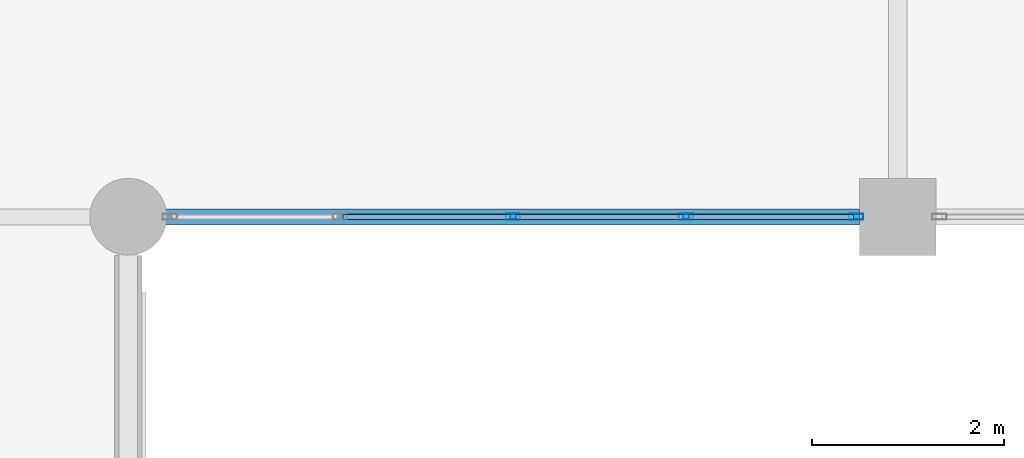
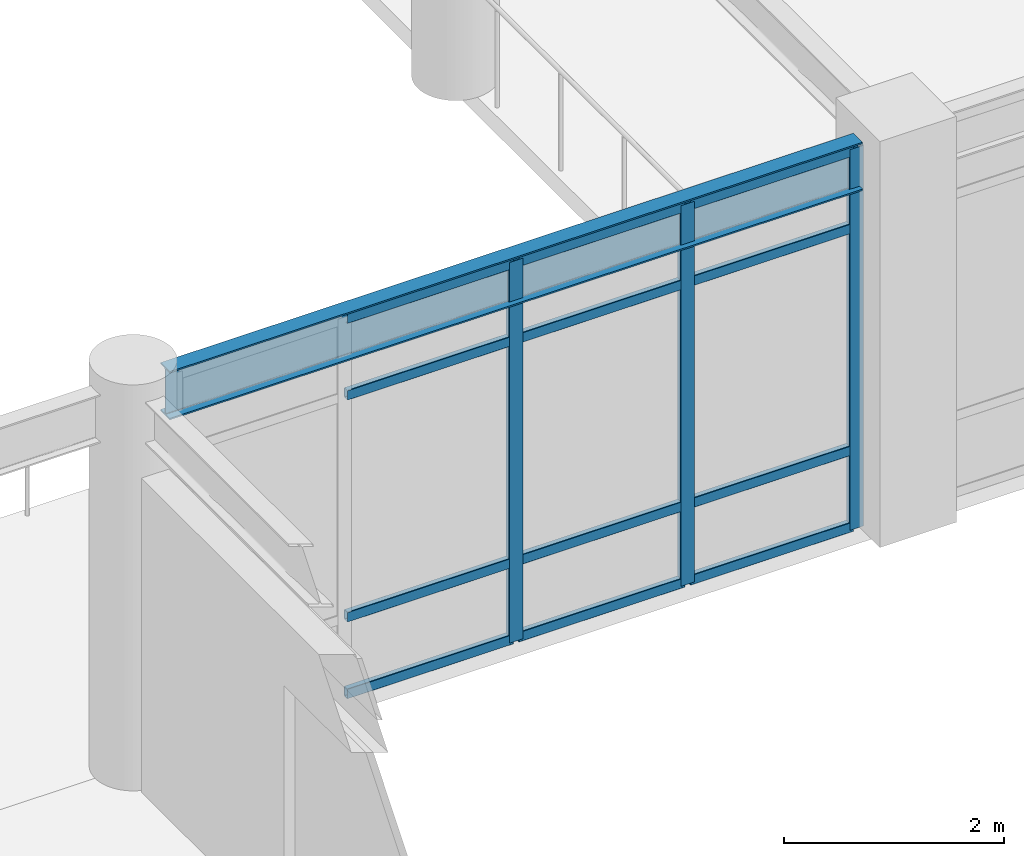
# One storey, part 21 of 75: 15 members, 1 beam, 1 element without a shape of its own.
"""IFC4 building model written with IfcOpenShell, lengths in metres."""

from ifc_helpers import new_model, si_unit, direction, frame, origin, origin_2d, place, context, subcontext, project, spatial, hollow_rectangle, i_section, extrude, material, material_profile, profile_set, type_object, element, aggregate, save


model = new_model("IFC4")

# Units and contexts
model_context = context("Model", 3, precision=1e-05, world=origin(), true_north=direction((0.0, 1.0)))
body_context = subcontext(model_context, "Body", "Model", "MODEL_VIEW")
ifc_project = project(units=[si_unit("LENGTHUNIT", "METRE"), si_unit("AREAUNIT", "SQUARE_METRE"), si_unit("VOLUMEUNIT", "CUBIC_METRE"), si_unit("PLANEANGLEUNIT", "RADIAN"), si_unit("MASSUNIT", "GRAM", prefix="KILO")], contexts=[model_context])

# Site, building, storey
site_placement = place(None, origin())
site = spatial("IfcSite", under=ifc_project, at=site_placement, CompositionType="ELEMENT")
building_placement = place(site_placement, origin())
building = spatial("IfcBuilding", under=site, at=building_placement, Name="Solmirada Galleria", CompositionType="ELEMENT")
storey_placement = place(building_placement, frame((0.0, 0.0, 19.39990234375)))
storey = spatial("IfcBuildingStorey", under=building, at=storey_placement, Name="L04", CompositionType="ELEMENT", Elevation=19.39990234375)

# Beam
ifc_material_1 = material(Name="Steel S355 / ASTM A992 Grade 50", Category="steel")
ifc_material_profile_1 = material_profile(ifc_material_1, i_section(OverallWidth=0.1669921875, OverallDepth=0.534912109375, WebThickness=0.01025390625, FlangeThickness=0.0166015625, FilletRadius=0.013916015625, at=origin_2d()), Name="W21X57")
ifc_profile_set_1 = profile_set([ifc_material_profile_1], Name="Steel S355 / ASTM A992 Grade 50")
beam_type = type_object("IfcBeamType", Name="BM-GIRD-W21C", PredefinedType="BEAM", material=ifc_profile_set_1)
beam_placement = place(storey_placement, frame((96.3359375, 48.0, 4.03271484375), z_axis=(1.0, 0.0, 0.0), x_axis=(0.0, 1.0, 0.0)))
element("IfcBeam", 1, at=beam_placement, inside=storey, type_object=beam_type, Name="Primary beam L05 X(96..104, 48)", PredefinedType="BEAM", context=body_context, shape_type="SweptSolid", body=[
    extrude(i_section(OverallWidth=0.1669921875, OverallDepth=0.534912109375, WebThickness=0.01025390625, FlangeThickness=0.0166015625, FilletRadius=0.013916015625, at=origin_2d()), origin(), (0.0, 0.0, 1.0), 7.26416015625),
])

# Curtain wall, members
ifc_material_2 = material(Name="Impact-resistant low-E double glazing", Category="glass")
curtain_wall_type = type_object("IfcCurtainWallType", Name="CW-FZ3-L04-B4-L072", PredefinedType="NOTDEFINED", material=ifc_material_2)
curtain_wall_placement = place(storey_placement, origin())
curtain_wall = element("IfcCurtainWall", 2, at=curtain_wall_placement, inside=storey, type_object=curtain_wall_type, Name="Terrace and arcade storefront CW-L04-158", PredefinedType="NOTDEFINED")
ifc_material_3 = material(Name="Anodised aluminium framing", Category="aluminium")
ifc_material_profile_2 = material_profile(ifc_material_3, hollow_rectangle(XDim=0.06005859375, YDim=0.14990234375, WallThickness=0.00341796875, InnerFilletRadius=0.00341796875, OuterFilletRadius=0.007080078125, at=origin_2d()), Name="ALU-MULL-150X60")
ifc_profile_set_2 = profile_set([ifc_material_profile_2], Name="Anodised aluminium framing")
member_type_1 = type_object("IfcMemberType", Name="CW-MULL-150", PredefinedType="MULLION", material=ifc_profile_set_2)
member_1_placement = place(storey_placement, frame((103.568115234375, 48.0, 0.0), z_axis=(0.0, 0.0, 1.0), x_axis=(0.0, -1.0, 0.0)))
member_1 = element("IfcMember", 3, at=member_1_placement, type_object=member_type_1, Name="CW30 mullion 1", PredefinedType="MULLION", context=body_context, shape_type="SweptSolid", body=[
    extrude(hollow_rectangle(XDim=0.06005859375, YDim=0.14990234375, WallThickness=0.00341796875, InnerFilletRadius=0.00341796875, OuterFilletRadius=0.007080078125, at=origin_2d()), origin(), (0.0, 0.0, 1.0), 4.22021484375),
])
member_2_placement = place(storey_placement, frame((101.799072265625, 48.0, 0.0), z_axis=(0.0, 0.0, 1.0), x_axis=(0.0, -1.0, 0.0)))
member_2 = element("IfcMember", 4, at=member_2_placement, type_object=member_type_1, Name="CW30 mullion 2", PredefinedType="MULLION", context=body_context, shape_type="SweptSolid", body=[
    extrude(hollow_rectangle(XDim=0.06005859375, YDim=0.14990234375, WallThickness=0.00341796875, InnerFilletRadius=0.00341796875, OuterFilletRadius=0.007080078125, at=origin_2d()), origin(), (0.0, 0.0, 1.0), 4.22021484375),
])
member_3_placement = place(storey_placement, frame((100.0, 48.0, 0.0), z_axis=(0.0, 0.0, 1.0), x_axis=(0.0, -1.0, 0.0)))
member_3 = element("IfcMember", 5, at=member_3_placement, type_object=member_type_1, Name="CW30 mullion 3", PredefinedType="MULLION", context=body_context, shape_type="SweptSolid", body=[
    extrude(hollow_rectangle(XDim=0.06005859375, YDim=0.14990234375, WallThickness=0.00341796875, InnerFilletRadius=0.00341796875, OuterFilletRadius=0.007080078125, at=origin_2d()), origin(), (0.0, 0.0, 1.0), 4.22021484375),
])
ifc_material_profile_3 = material_profile(ifc_material_3, hollow_rectangle(XDim=0.06005859375, YDim=0.110107421875, WallThickness=0.003173828125, InnerFilletRadius=0.003173828125, OuterFilletRadius=0.00634765625, at=origin_2d()), Name="ALU-TRAN-110X60")
ifc_profile_set_3 = profile_set([ifc_material_profile_3], Name="Anodised aluminium framing")
member_type_2 = type_object("IfcMemberType", Name="CW-TRAN-110", PredefinedType="USERDEFINED", material=ifc_profile_set_3)
member_4_placement = place(storey_placement, frame((103.5380859375, 48.0, 0.030029296875), z_axis=(-1.0, 0.0, 0.0), x_axis=(0.0, -1.0, 0.0)))
member_4 = element("IfcMember", 6, at=member_4_placement, type_object=member_type_2, Name="CW30 transom 1.1", ObjectType="TRANSOM", PredefinedType="USERDEFINED", context=body_context, shape_type="SweptSolid", body=[
    extrude(hollow_rectangle(XDim=0.06005859375, YDim=0.110107421875, WallThickness=0.003173828125, InnerFilletRadius=0.003173828125, OuterFilletRadius=0.00634765625, at=origin_2d()), origin(), (0.0, 0.0, 1.0), 1.708984375),
])
member_5_placement = place(storey_placement, frame((103.5380859375, 48.0, 0.880126953125), z_axis=(-1.0, 0.0, 0.0), x_axis=(0.0, -1.0, 0.0)))
member_5 = element("IfcMember", 7, at=member_5_placement, type_object=member_type_2, Name="CW30 transom 1.2", ObjectType="TRANSOM", PredefinedType="USERDEFINED", context=body_context, shape_type="SweptSolid", body=[
    extrude(hollow_rectangle(XDim=0.06005859375, YDim=0.110107421875, WallThickness=0.003173828125, InnerFilletRadius=0.003173828125, OuterFilletRadius=0.00634765625, at=origin_2d()), origin(), (0.0, 0.0, 1.0), 1.708984375),
])
member_6_placement = place(storey_placement, frame((103.5380859375, 48.0, 3.340087890625), z_axis=(-1.0, 0.0, 0.0), x_axis=(0.0, -1.0, 0.0)))
member_6 = element("IfcMember", 8, at=member_6_placement, type_object=member_type_2, Name="CW30 transom 1.3", ObjectType="TRANSOM", PredefinedType="USERDEFINED", context=body_context, shape_type="SweptSolid", body=[
    extrude(hollow_rectangle(XDim=0.06005859375, YDim=0.110107421875, WallThickness=0.003173828125, InnerFilletRadius=0.003173828125, OuterFilletRadius=0.00634765625, at=origin_2d()), origin(), (0.0, 0.0, 1.0), 1.708984375),
])
member_7_placement = place(storey_placement, frame((103.5380859375, 48.0, 4.190185546875), z_axis=(-1.0, 0.0, 0.0), x_axis=(0.0, -1.0, 0.0)))
member_7 = element("IfcMember", 9, at=member_7_placement, type_object=member_type_2, Name="CW30 transom 1.4", ObjectType="TRANSOM", PredefinedType="USERDEFINED", context=body_context, shape_type="SweptSolid", body=[
    extrude(hollow_rectangle(XDim=0.06005859375, YDim=0.110107421875, WallThickness=0.003173828125, InnerFilletRadius=0.003173828125, OuterFilletRadius=0.00634765625, at=origin_2d()), origin(), (0.0, 0.0, 1.0), 1.708984375),
])
member_8_placement = place(storey_placement, frame((101.76904296875, 48.0, 0.030029296875), z_axis=(-1.0, 0.0, 0.0), x_axis=(0.0, -1.0, 0.0)))
member_8 = element("IfcMember", 10, at=member_8_placement, type_object=member_type_2, Name="CW30 transom 2.1", ObjectType="TRANSOM", PredefinedType="USERDEFINED", context=body_context, shape_type="SweptSolid", body=[
    extrude(hollow_rectangle(XDim=0.06005859375, YDim=0.110107421875, WallThickness=0.003173828125, InnerFilletRadius=0.003173828125, OuterFilletRadius=0.00634765625, at=origin_2d()), origin(), (0.0, 0.0, 1.0), 1.739013671875),
])
member_9_placement = place(storey_placement, frame((101.76904296875, 48.0, 0.880126953125), z_axis=(-1.0, 0.0, 0.0), x_axis=(0.0, -1.0, 0.0)))
member_9 = element("IfcMember", 11, at=member_9_placement, type_object=member_type_2, Name="CW30 transom 2.2", ObjectType="TRANSOM", PredefinedType="USERDEFINED", context=body_context, shape_type="SweptSolid", body=[
    extrude(hollow_rectangle(XDim=0.06005859375, YDim=0.110107421875, WallThickness=0.003173828125, InnerFilletRadius=0.003173828125, OuterFilletRadius=0.00634765625, at=origin_2d()), origin(), (0.0, 0.0, 1.0), 1.739013671875),
])
member_10_placement = place(storey_placement, frame((101.76904296875, 48.0, 3.340087890625), z_axis=(-1.0, 0.0, 0.0), x_axis=(0.0, -1.0, 0.0)))
member_10 = element("IfcMember", 12, at=member_10_placement, type_object=member_type_2, Name="CW30 transom 2.3", ObjectType="TRANSOM", PredefinedType="USERDEFINED", context=body_context, shape_type="SweptSolid", body=[
    extrude(hollow_rectangle(XDim=0.06005859375, YDim=0.110107421875, WallThickness=0.003173828125, InnerFilletRadius=0.003173828125, OuterFilletRadius=0.00634765625, at=origin_2d()), origin(), (0.0, 0.0, 1.0), 1.739013671875),
])
member_11_placement = place(storey_placement, frame((101.76904296875, 48.0, 4.190185546875), z_axis=(-1.0, 0.0, 0.0), x_axis=(0.0, -1.0, 0.0)))
member_11 = element("IfcMember", 13, at=member_11_placement, type_object=member_type_2, Name="CW30 transom 2.4", ObjectType="TRANSOM", PredefinedType="USERDEFINED", context=body_context, shape_type="SweptSolid", body=[
    extrude(hollow_rectangle(XDim=0.06005859375, YDim=0.110107421875, WallThickness=0.003173828125, InnerFilletRadius=0.003173828125, OuterFilletRadius=0.00634765625, at=origin_2d()), origin(), (0.0, 0.0, 1.0), 1.739013671875),
])
member_12_placement = place(storey_placement, frame((99.969970703125, 48.0, 0.030029296875), z_axis=(-1.0, 0.0, 0.0), x_axis=(0.0, -1.0, 0.0)))
member_12 = element("IfcMember", 14, at=member_12_placement, type_object=member_type_2, Name="CW30 transom 3.1", ObjectType="TRANSOM", PredefinedType="USERDEFINED", context=body_context, shape_type="SweptSolid", body=[
    extrude(hollow_rectangle(XDim=0.06005859375, YDim=0.110107421875, WallThickness=0.003173828125, InnerFilletRadius=0.003173828125, OuterFilletRadius=0.00634765625, at=origin_2d()), origin(), (0.0, 0.0, 1.0), 1.739013671875),
])
member_13_placement = place(storey_placement, frame((99.969970703125, 48.0, 0.880126953125), z_axis=(-1.0, 0.0, 0.0), x_axis=(0.0, -1.0, 0.0)))
member_13 = element("IfcMember", 15, at=member_13_placement, type_object=member_type_2, Name="CW30 transom 3.2", ObjectType="TRANSOM", PredefinedType="USERDEFINED", context=body_context, shape_type="SweptSolid", body=[
    extrude(hollow_rectangle(XDim=0.06005859375, YDim=0.110107421875, WallThickness=0.003173828125, InnerFilletRadius=0.003173828125, OuterFilletRadius=0.00634765625, at=origin_2d()), origin(), (0.0, 0.0, 1.0), 1.739013671875),
])
member_14_placement = place(storey_placement, frame((99.969970703125, 48.0, 3.340087890625), z_axis=(-1.0, 0.0, 0.0), x_axis=(0.0, -1.0, 0.0)))
member_14 = element("IfcMember", 16, at=member_14_placement, type_object=member_type_2, Name="CW30 transom 3.3", ObjectType="TRANSOM", PredefinedType="USERDEFINED", context=body_context, shape_type="SweptSolid", body=[
    extrude(hollow_rectangle(XDim=0.06005859375, YDim=0.110107421875, WallThickness=0.003173828125, InnerFilletRadius=0.003173828125, OuterFilletRadius=0.00634765625, at=origin_2d()), origin(), (0.0, 0.0, 1.0), 1.739013671875),
])
member_15_placement = place(storey_placement, frame((99.969970703125, 48.0, 4.190185546875), z_axis=(-1.0, 0.0, 0.0), x_axis=(0.0, -1.0, 0.0)))
member_15 = element("IfcMember", 17, at=member_15_placement, type_object=member_type_2, Name="CW30 transom 3.4", ObjectType="TRANSOM", PredefinedType="USERDEFINED", context=body_context, shape_type="SweptSolid", body=[
    extrude(hollow_rectangle(XDim=0.06005859375, YDim=0.110107421875, WallThickness=0.003173828125, InnerFilletRadius=0.003173828125, OuterFilletRadius=0.00634765625, at=origin_2d()), origin(), (0.0, 0.0, 1.0), 1.739013671875),
])
aggregate(curtain_wall, [member_1, member_2, member_3, member_4, member_5, member_6, member_7, member_8, member_9, member_10, member_11, member_12, member_13, member_14, member_15])

save(model, "model.ifc")
